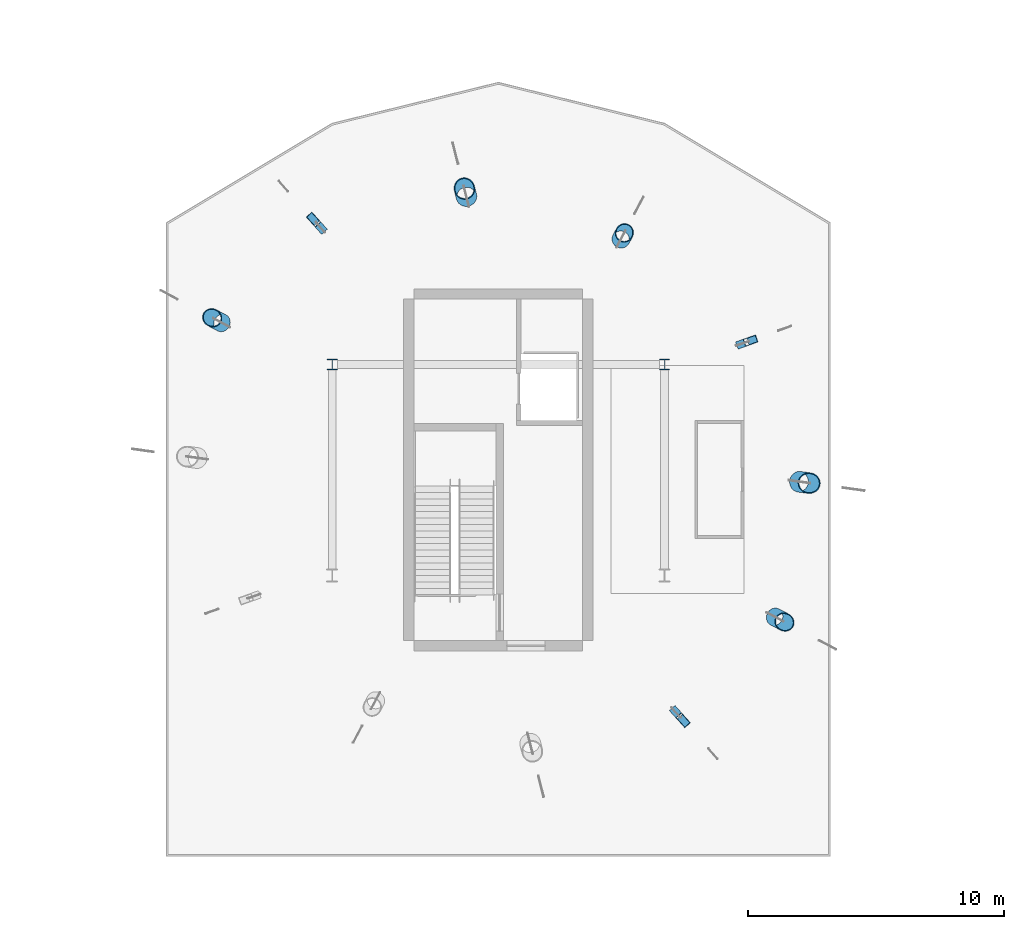
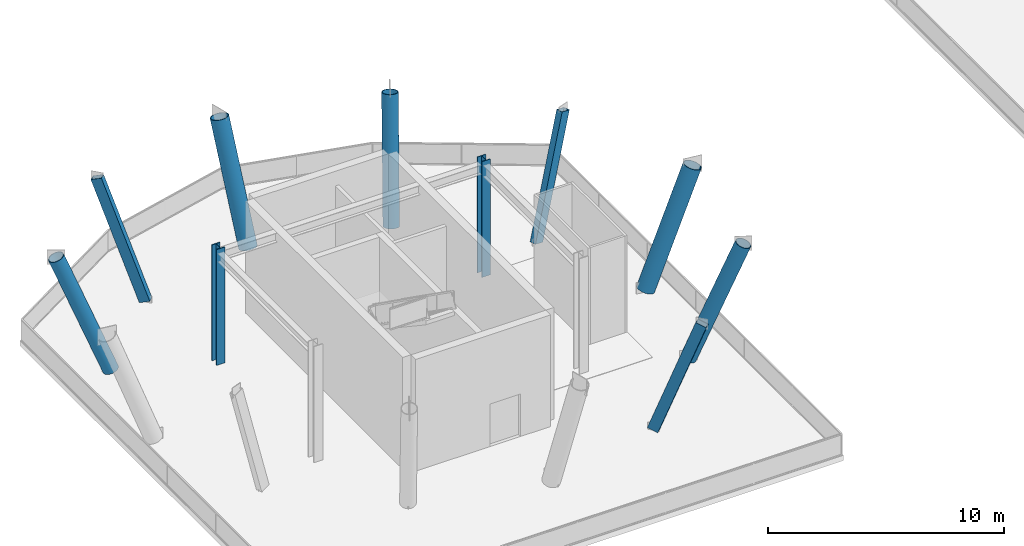
# One storey, part 17 of 73: 10 columns.
"""IFC4 building model written with IfcOpenShell, lengths in metres."""

from ifc_helpers import new_model, si_unit, direction, frame, origin, origin_2d, place, context, subcontext, project, spatial, hollow_rectangle, hollow_circle, i_section, extrude, material, material_profile, profile_set, type_object, element, save


model = new_model("IFC4")

# Units and contexts
model_context = context("Model", 3, precision=1e-05, world=origin(), true_north=direction((0.0, 1.0)))
body_context = subcontext(model_context, "Body", "Model", "MODEL_VIEW")
ifc_project = project(units=[si_unit("LENGTHUNIT", "METRE"), si_unit("AREAUNIT", "SQUARE_METRE"), si_unit("VOLUMEUNIT", "CUBIC_METRE"), si_unit("PLANEANGLEUNIT", "RADIAN"), si_unit("MASSUNIT", "GRAM", prefix="KILO")], contexts=[model_context])

# Site, building, storey
site_placement = place(None, origin())
site = spatial("IfcSite", under=ifc_project, at=site_placement, CompositionType="ELEMENT")
building_placement = place(site_placement, origin())
building = spatial("IfcBuilding", under=site, at=building_placement, Name="Linyun Crest Stadium", CompositionType="ELEMENT")
storey_placement = place(building_placement, origin())
storey = spatial("IfcBuildingStorey", under=building, at=storey_placement, Name="L01", CompositionType="ELEMENT", Elevation=0.0)

# Columns
ifc_material_1 = material(Name="Steel Q355C", Category="steel")
ifc_material_profile_1 = material_profile(ifc_material_1, i_section(OverallWidth=0.406982421875, OverallDepth=0.427978515625, WebThickness=0.02001953125, FlangeThickness=0.034912109375, at=origin_2d()), Name="HW 428x407")
ifc_profile_set_1 = profile_set([ifc_material_profile_1], Name="Steel Q355C")
column_type_1 = type_object("IfcColumnType", Name="SC03", PredefinedType="COLUMN", material=ifc_profile_set_1)
for number, where, z_axis, x_axis, name in (
    (1, (-80.0, 88.75, 0.0), (0.0, 0.0, 1.0), (1.0, 0.0, 0.0), "Column SC03 L01 809"),
    (2, (-67.0, 88.75, 0.0), (0.0, 0.0, 1.0), (1.0, 0.0, 0.0), "Column SC03 L01 816"),
):
    element("IfcColumn", number, at=place(storey_placement, frame(where, z_axis=z_axis, x_axis=x_axis)), inside=storey, type_object=column_type_1, Name=name, PredefinedType="COLUMN", context=body_context, shape_type="SweptSolid", body=[
        extrude(i_section(OverallWidth=0.406982421875, OverallDepth=0.427978515625, WebThickness=0.02001953125, FlangeThickness=0.034912109375, at=origin_2d()), origin(), (0.0, 0.0, 1.0), 5.998046875),
    ])
ifc_material_2 = material(Name="Steel Q420C", Category="steel")
ifc_material_profile_2 = material_profile(ifc_material_2, hollow_circle(Radius=0.35546875, WallThickness=0.031982421875, at=origin_2d()), Name="CHS 711x32")
ifc_profile_set_2 = profile_set([ifc_material_profile_2], Name="Steel Q420C")
column_type_2 = type_object("IfcColumnType", Name="VL01", PredefinedType="PILASTER", material=ifc_profile_set_2)
column_1_placement = place(storey_placement, frame((-62.679931640625, 78.8720703125, 0.135986328125), z_axis=(0.325537478247, -0.173163175193, 0.929537446805), x_axis=(0.46962342015, 0.882866832114, 0.0)))
element("IfcColumn", 3, at=column_1_placement, inside=storey, type_object=column_type_2, Name="Inclined V-leg pier VL01 1", PredefinedType="PILASTER", context=body_context, shape_type="SweptSolid", body=[
    extrude(hollow_circle(Radius=0.35546875, WallThickness=0.031982421875, at=origin_2d()), origin(), (0.0, 0.0, 1.0), 6.306396484375),
])
column_2_placement = place(storey_placement, frame((-68.699951171875, 93.65087890625, 0.092041015625), z_axis=(0.114602751846, 0.215777059527, 0.969694008361), x_axis=(-0.883164571949, 0.469063256772, 0.0)))
element("IfcColumn", 4, at=column_2_placement, inside=storey, type_object=column_type_2, Name="Inclined V-leg pier VL01 10", PredefinedType="PILASTER", context=body_context, shape_type="SweptSolid", body=[
    extrude(hollow_circle(Radius=0.35546875, WallThickness=0.031982421875, at=origin_2d()), origin(), (0.0, 0.0, 1.0), 6.090576171875),
])
column_3_placement = place(storey_placement, frame((-84.320068359375, 90.3779296875, 0.135986328125), z_axis=(-0.325537478247, 0.173163175193, 0.929537446805), x_axis=(-0.46962342015, -0.882866832114, 0.0)))
element("IfcColumn", 5, at=column_3_placement, inside=storey, type_object=column_type_2, Name="Inclined V-leg pier VL01 19", PredefinedType="PILASTER", context=body_context, shape_type="SweptSolid", body=[
    extrude(hollow_circle(Radius=0.35546875, WallThickness=0.031982421875, at=origin_2d()), origin(), (0.0, 0.0, 1.0), 6.306396484375),
])
ifc_material_3 = material(Name="Steel Q420C", Category="steel")
ifc_material_profile_3 = material_profile(ifc_material_3, hollow_circle(Radius=0.406494140625, WallThickness=0.035888671875, at=origin_2d()), Name="CHS 813x36")
ifc_profile_set_3 = profile_set([ifc_material_profile_3], Name="Steel Q420C")
column_type_3 = type_object("IfcColumnType", Name="VL02", PredefinedType="PILASTER", material=ifc_profile_set_3)
column_4_placement = place(storey_placement, frame((-61.72412109375, 84.160888671875, 0.14501953125), z_axis=(0.340330917323, -0.047163722889, 0.939122169878), x_axis=(0.137270087643, 0.990533655682, 0.0)))
element("IfcColumn", 6, at=column_4_placement, inside=storey, type_object=column_type_3, Name="Inclined V-leg pier VL02 4", PredefinedType="PILASTER", context=body_context, shape_type="SweptSolid", body=[
    extrude(hollow_circle(Radius=0.406494140625, WallThickness=0.035888671875, at=origin_2d()), origin(), (0.0, 0.0, 1.0), 6.232421875),
])
column_5_placement = place(storey_placement, frame((-74.748046875, 95.322021484375, 0.1201171875), z_axis=(-0.069678458112, 0.274132344351, 0.959164412526), x_axis=(-0.969182211643, -0.246344962675, 0.0)))
element("IfcColumn", 7, at=column_5_placement, inside=storey, type_object=column_type_3, Name="Inclined V-leg pier VL02 13", PredefinedType="PILASTER", context=body_context, shape_type="SweptSolid", body=[
    extrude(hollow_circle(Radius=0.406494140625, WallThickness=0.035888671875, at=origin_2d()), origin(), (0.0, 0.0, 1.0), 6.128173828125),
])
ifc_material_4 = material(Name="Steel Q420C", Category="steel")
ifc_material_profile_4 = material_profile(ifc_material_4, hollow_rectangle(XDim=0.300048828125, YDim=0.5, WallThickness=0.02001953125, at=origin_2d()), Name="RHS 500x300x20")
ifc_profile_set_4 = profile_set([ifc_material_profile_4], Name="Steel Q420C")
column_type_4 = type_object("IfcColumnType", Name="VL03", PredefinedType="PILASTER", material=ifc_profile_set_4)
column_6_placement = place(storey_placement, frame((-63.946044921875, 89.569091796875, 0.075927734375), z_axis=(0.26627892052, 0.095218241849, 0.959181433779), x_axis=(-0.336708404663, 0.941608968855, 0.0)))
element("IfcColumn", 8, at=column_6_placement, inside=storey, type_object=column_type_4, Name="Inclined V-leg pier VL03 7", PredefinedType="PILASTER", context=body_context, shape_type="SweptSolid", body=[
    extrude(hollow_rectangle(XDim=0.300048828125, YDim=0.5, WallThickness=0.02001953125, at=origin_2d()), origin(), (0.0, 0.0, 1.0), 6.174072265625),
])
for number, where, z_axis, x_axis, name in (
    (9, (-80.4560546875, 94.113037109375, 0.091064453125), (-0.229385826453, 0.255934033778, 0.939084614386), (-0.744673951362, -0.667428427745, 0.0), "Inclined V-leg pier VL03 16"),
    (10, (-66.5439453125, 75.136962890625, 0.091064453125), (0.229385826453, -0.255934033778, 0.939084614386), (0.744673951362, 0.667428427745, 0.0), "Inclined V-leg pier VL03 34"),
):
    element("IfcColumn", number, at=place(storey_placement, frame(where, z_axis=z_axis, x_axis=x_axis)), inside=storey, type_object=column_type_4, Name=name, PredefinedType="PILASTER", context=body_context, shape_type="SweptSolid", body=[
        extrude(hollow_rectangle(XDim=0.300048828125, YDim=0.5, WallThickness=0.02001953125, at=origin_2d()), origin(), (0.0, 0.0, 1.0), 6.2900390625),
    ])

save(model, "model.ifc")
